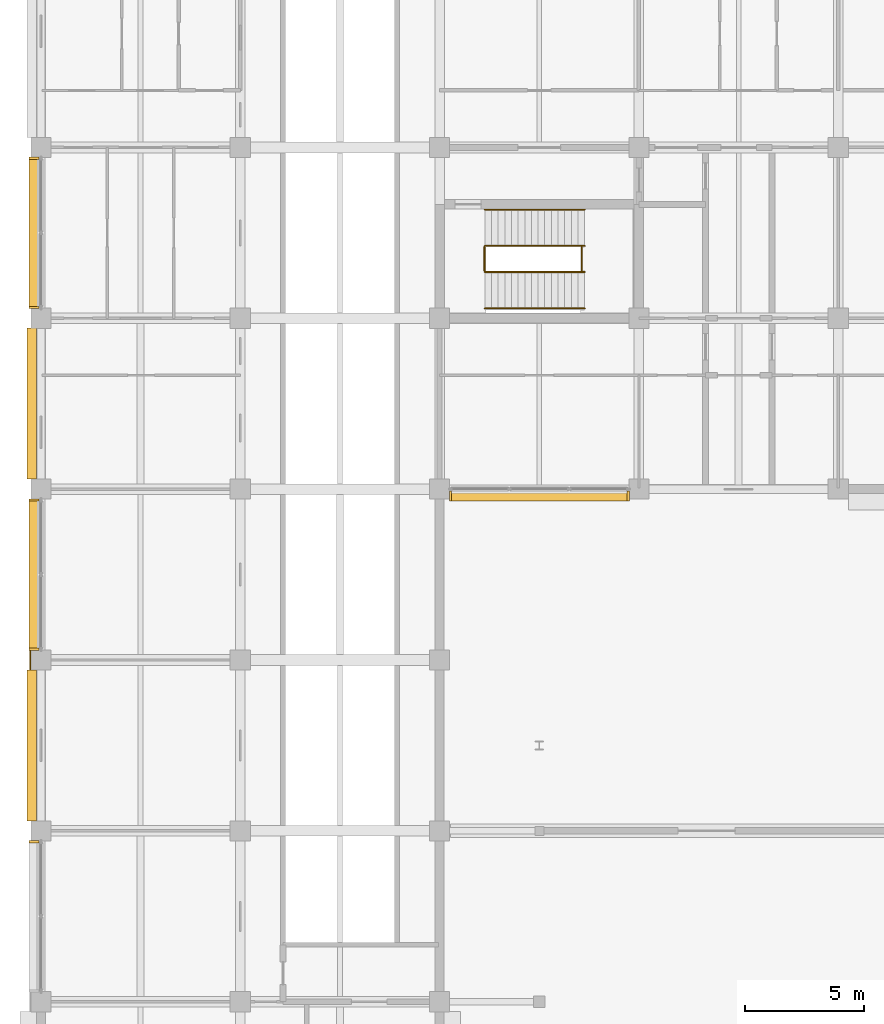
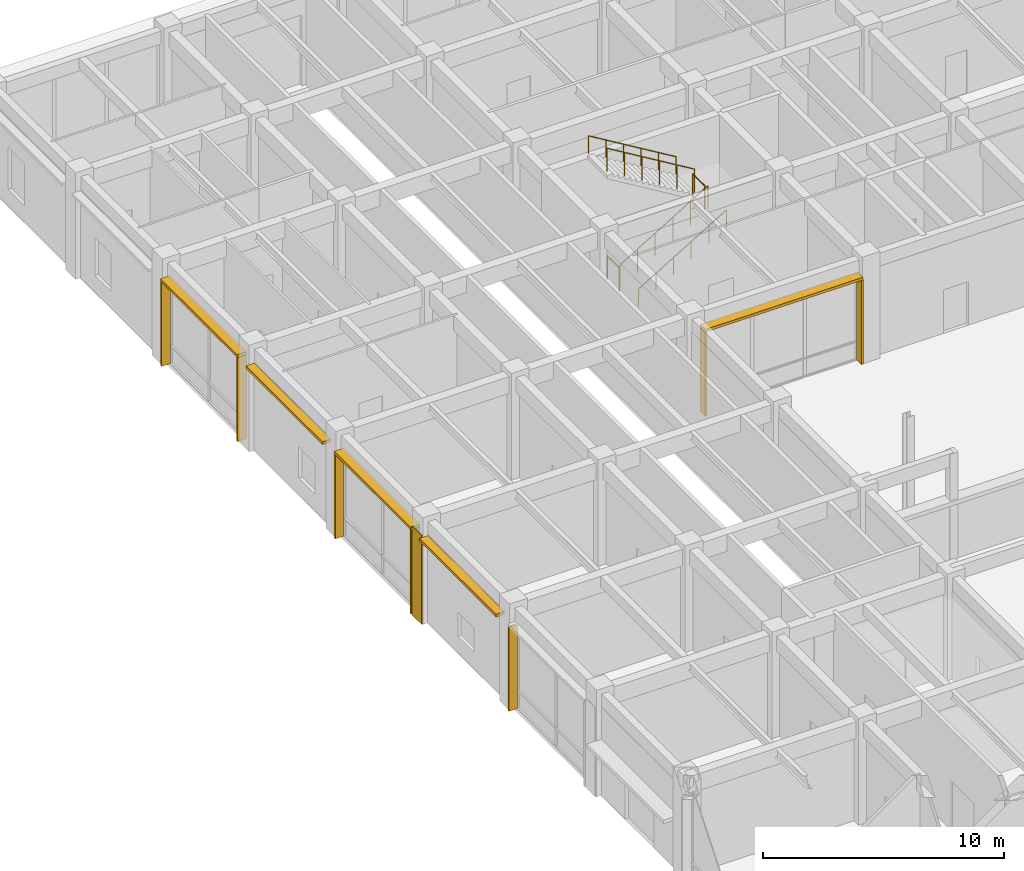
# One storey, part 66 of 73: 12 shading devices, 6 railings, 1 covering.
"""IFC4 building model written with IfcOpenShell, lengths in metres."""

from ifc_helpers import new_model, si_unit, direction, frame, origin, origin_2d, place, context, subcontext, project, spatial, rectangle, circle, extrude, material, layer, layer_set, type_object, element, save


model = new_model("IFC4")

# Units and contexts
model_context = context("Model", 3, precision=1e-05, world=origin(), true_north=direction((0.0, 1.0)))
body_context = subcontext(model_context, "Body", "Model", "MODEL_VIEW")
ifc_project = project(units=[si_unit("LENGTHUNIT", "METRE"), si_unit("AREAUNIT", "SQUARE_METRE"), si_unit("VOLUMEUNIT", "CUBIC_METRE"), si_unit("PLANEANGLEUNIT", "RADIAN"), si_unit("MASSUNIT", "GRAM", prefix="KILO")], contexts=[model_context])

# Site, building, storey
site_placement = place(None, origin())
site = spatial("IfcSite", under=ifc_project, at=site_placement, CompositionType="ELEMENT")
building_placement = place(site_placement, origin())
building = spatial("IfcBuilding", under=site, at=building_placement, Name="Chengyuan Square Courthouse", CompositionType="ELEMENT")
storey_placement = place(building_placement, origin())
storey = spatial("IfcBuildingStorey", under=building, at=storey_placement, Name="L01", CompositionType="ELEMENT", Elevation=0.0)

# Covering
ifc_material_1 = material(Name="Flamed Liaoning Granite Column Cladding", Category="masonry")
ifc_layer = layer(ifc_material_1, 0.050048828125)
ifc_layer_set = layer_set([ifc_layer], Name="Flamed Liaoning Granite Column Cladding")
covering_type = type_object("IfcCoveringType", Name="CLD-01", PredefinedType="CLADDING", material=ifc_layer_set)
covering_placement = place(storey_placement, frame((-0.445068359375, 72.0, 0.0), z_axis=(0.0, 0.0, 1.0), x_axis=(1.0, 0.0, 0.0)))
element("IfcCovering", 1, at=covering_placement, inside=storey, type_object=covering_type, Name="Granite Column Cladding CLD-L01-06", PredefinedType="CLADDING", context=body_context, shape_type="SweptSolid", body=[
    extrude(rectangle(XDim=0.050048828125, YDim=0.800048828125, at=origin_2d()), origin(), (0.0, 0.0, 1.0), 4.5),
])

# Railings
ifc_material_2 = material(Name="Tempered Glass and Timber Top-Rail Balustrade", Category="wood")
railing_type_1 = type_object("IfcRailingType", Name="RL-02", PredefinedType="BALUSTRADE", material=ifc_material_2)
for number, where, name in (
    (2, (18.68994140625, 88.39990234375, 0.0), "Stair Floor Slot Guard ST-9 L01"),
    (3, (22.7900390625, 88.39990234375, 2.699951171875), "Stair Landing Guard ST-9-L01"),
):
    element("IfcRailing", number, at=place(storey_placement, frame(where)), inside=storey, type_object=railing_type_1, Name=name, PredefinedType="BALUSTRADE", context=body_context, shape_type="SweptSolid", body=[
        extrude(circle(Radius=0.02392578125, at=origin_2d()), frame((0.0, 0.0, 1.17578125), z_axis=(0.0, 1.0, 0.0), x_axis=(-1.0, 0.0, 0.0)), (0.0, 0.0, 1.0), 1.0),
        extrude(circle(Radius=0.02099609375, at=origin_2d()), origin(), (0.0, 0.0, 1.0), 1.15185546875),
        extrude(circle(Radius=0.02099609375, at=origin_2d()), frame((0.0, 1.0, 0.0)), (0.0, 0.0, 1.0), 1.15185546875),
    ])
railing_1_placement = place(storey_placement, frame((18.7099609375, 88.35009765625, 0.168701171875)))
element("IfcRailing", 4, at=railing_1_placement, inside=storey, type_object=railing_type_1, Name="Stair Flight 1 Guard ST-9-L01", PredefinedType="BALUSTRADE", context=body_context, shape_type="SweptSolid", body=[
    extrude(circle(Radius=0.02392578125, at=origin_2d()), frame((0.0, 0.0, 1.17578125), z_axis=(0.856476492594, 0.0, 0.516186030065), x_axis=(0.0, 1.0, 0.0)), (0.0, 0.0, 1.0), 4.90380859375),
    extrude(circle(Radius=0.02099609375, at=origin_2d()), origin(), (0.0, 0.0, 1.0), 1.15185546875),
    extrude(circle(Radius=0.02099609375, at=origin_2d()), frame((0.840087890625, 0.0, 0.50634765625)), (0.0, 0.0, 1.0), 1.15185546875),
    extrude(circle(Radius=0.02099609375, at=origin_2d()), frame((1.679931640625, 0.0, 1.012451171875)), (0.0, 0.0, 1.0), 1.15185546875),
    extrude(circle(Radius=0.02099609375, at=origin_2d()), frame((2.52001953125, 0.0, 1.518798828125)), (0.0, 0.0, 1.0), 1.15185546875),
    extrude(circle(Radius=0.02099609375, at=origin_2d()), frame((3.35986328125, 0.0, 2.02490234375)), (0.0, 0.0, 1.0), 1.15185546875),
    extrude(circle(Radius=0.02099609375, at=origin_2d()), frame((4.199951171875, 0.0, 2.53125)), (0.0, 0.0, 1.0), 1.15185546875),
])
railing_2_placement = place(storey_placement, frame((22.909912109375, 89.449951171875, 2.868896484375)))
element("IfcRailing", 5, at=railing_2_placement, inside=storey, type_object=railing_type_1, Name="Stair Flight 2 Guard ST-9-L01", PredefinedType="BALUSTRADE", context=body_context, shape_type="SweptSolid", body=[
    extrude(circle(Radius=0.02392578125, at=origin_2d()), frame((0.0, 0.0, 1.17578125), z_axis=(-0.856498503035, 0.0, 0.5161495077), x_axis=(0.0, -1.0, 0.0)), (0.0, 0.0, 1.0), 4.903564453125),
    extrude(circle(Radius=0.02099609375, at=origin_2d()), origin(), (0.0, 0.0, 1.0), 1.15185546875),
    extrude(circle(Radius=0.02099609375, at=origin_2d()), frame((-0.840087890625, 0.0, 0.506103515625)), (0.0, 0.0, 1.0), 1.15185546875),
    extrude(circle(Radius=0.02099609375, at=origin_2d()), frame((-1.679931640625, 0.0, 1.012451171875)), (0.0, 0.0, 1.0), 1.15185546875),
    extrude(circle(Radius=0.02099609375, at=origin_2d()), frame((-2.52001953125, 0.0, 1.5185546875)), (0.0, 0.0, 1.0), 1.15185546875),
    extrude(circle(Radius=0.02099609375, at=origin_2d()), frame((-3.35986328125, 0.0, 2.02490234375)), (0.0, 0.0, 1.0), 1.15185546875),
    extrude(circle(Radius=0.02099609375, at=origin_2d()), frame((-4.199951171875, 0.0, 2.531005859375)), (0.0, 0.0, 1.0), 1.15185546875),
])
ifc_material_3 = material(Name="Stainless Steel S30408 Stair Handrail", Category="steel")
railing_type_2 = type_object("IfcRailingType", Name="RL-04", PredefinedType="HANDRAIL", material=ifc_material_3)
railing_3_placement = place(storey_placement, frame((18.7099609375, 86.820068359375, 0.168701171875)))
element("IfcRailing", 6, at=railing_3_placement, inside=storey, type_object=railing_type_2, Name="Stair Flight 1 Handrail ST-9-L01", PredefinedType="HANDRAIL", context=body_context, shape_type="SweptSolid", body=[
    extrude(circle(Radius=0.02392578125, at=origin_2d()), frame((0.0, 0.0, 0.8759765625), z_axis=(0.856476492594, 0.0, 0.516186030065), x_axis=(0.0, 1.0, 0.0)), (0.0, 0.0, 1.0), 4.90380859375),
    extrude(circle(Radius=0.02099609375, at=origin_2d()), origin(), (0.0, 0.0, 1.0), 0.851806640625),
    extrude(circle(Radius=0.02099609375, at=origin_2d()), frame((0.840087890625, 0.0, 0.50634765625)), (0.0, 0.0, 1.0), 0.851806640625),
    extrude(circle(Radius=0.02099609375, at=origin_2d()), frame((1.679931640625, 0.0, 1.012451171875)), (0.0, 0.0, 1.0), 0.851806640625),
    extrude(circle(Radius=0.02099609375, at=origin_2d()), frame((2.52001953125, 0.0, 1.518798828125)), (0.0, 0.0, 1.0), 0.851806640625),
    extrude(circle(Radius=0.02099609375, at=origin_2d()), frame((3.35986328125, 0.0, 2.02490234375)), (0.0, 0.0, 1.0), 0.851806640625),
    extrude(circle(Radius=0.02099609375, at=origin_2d()), frame((4.199951171875, 0.0, 2.53125)), (0.0, 0.0, 1.0), 0.851806640625),
])
railing_4_placement = place(storey_placement, frame((22.909912109375, 90.97998046875, 2.868896484375)))
element("IfcRailing", 7, at=railing_4_placement, inside=storey, type_object=railing_type_2, Name="Stair Flight 2 Handrail ST-9-L01", PredefinedType="HANDRAIL", context=body_context, shape_type="SweptSolid", body=[
    extrude(circle(Radius=0.02392578125, at=origin_2d()), frame((0.0, 0.0, 0.8759765625), z_axis=(-0.856498503035, 0.0, 0.5161495077), x_axis=(0.0, -1.0, 0.0)), (0.0, 0.0, 1.0), 4.903564453125),
    extrude(circle(Radius=0.02099609375, at=origin_2d()), origin(), (0.0, 0.0, 1.0), 0.851806640625),
    extrude(circle(Radius=0.02099609375, at=origin_2d()), frame((-0.840087890625, 0.0, 0.506103515625)), (0.0, 0.0, 1.0), 0.851806640625),
    extrude(circle(Radius=0.02099609375, at=origin_2d()), frame((-1.679931640625, 0.0, 1.012451171875)), (0.0, 0.0, 1.0), 0.851806640625),
    extrude(circle(Radius=0.02099609375, at=origin_2d()), frame((-2.52001953125, 0.0, 1.5185546875)), (0.0, 0.0, 1.0), 0.851806640625),
    extrude(circle(Radius=0.02099609375, at=origin_2d()), frame((-3.35986328125, 0.0, 2.02490234375)), (0.0, 0.0, 1.0), 0.851806640625),
    extrude(circle(Radius=0.02099609375, at=origin_2d()), frame((-4.199951171875, 0.0, 2.531005859375)), (0.0, 0.0, 1.0), 0.851806640625),
])

# Shading devices
ifc_material_4 = material(Name="Glulam TCt28 Solar Shading Fin", Category="wood")
shading_device_type_1 = type_object("IfcShadingDeviceType", Name="SHD-01", PredefinedType="JALOUSIE", material=ifc_material_4)
for number, where, z_axis, x_axis, name in (
    (8, (-0.2919921875, 64.342529296875, 0.0400390625), (0.0, 0.0, 1.0), (1.0, 0.0, 0.0), "Glulam Solar Fin SHD-L01-0021"),
    (9, (-0.2919921875, 72.45751953125, 0.0400390625), (0.0, 0.0, 1.0), (1.0, 0.0, 0.0), "Glulam Solar Fin SHD-L01-0024"),
    (10, (-0.2919921875, 78.742431640625, 0.0400390625), (0.0, 0.0, 1.0), (1.0, 0.0, 0.0), "Glulam Solar Fin SHD-L01-0025"),
    (11, (-0.2919921875, 86.857421875, 0.0400390625), (0.0, 0.0, 1.0), (1.0, 0.0, 0.0), "Glulam Solar Fin SHD-L01-0028"),
    (12, (-0.2919921875, 93.142578125, 0.0400390625), (0.0, 0.0, 1.0), (1.0, 0.0, 0.0), "Glulam Solar Fin SHD-L01-0029"),
    (13, (17.2548828125, 78.91796875, 0.0400390625), (0.0, 0.0, 1.0), (0.0, 1.0, 0.0), "Glulam Solar Fin SHD-L01-0049"),
    (14, (24.7451171875, 78.91796875, 0.0400390625), (0.0, 0.0, 1.0), (0.0, 1.0, 0.0), "Glulam Solar Fin SHD-L01-0050"),
):
    element("IfcShadingDevice", number, at=place(storey_placement, frame(where, z_axis=z_axis, x_axis=x_axis)), inside=storey, type_object=shading_device_type_1, Name=name, PredefinedType="JALOUSIE", context=body_context, shape_type="SweptSolid", body=[
        extrude(rectangle(XDim=0.419921875, YDim=0.094970703125, at=origin_2d()), origin(), (0.0, 0.0, 1.0), 4.260009765625),
    ])
ifc_material_5 = material(Name="Glulam TCt28 Sunshade Louvre", Category="wood")
shading_device_type_2 = type_object("IfcShadingDeviceType", Name="SHD-02", PredefinedType="AWNING", material=ifc_material_5)
for number, where, z_axis, x_axis, name in (
    (15, (-0.2919921875, 75.60009765625, 4.30029296875), (0.0, 0.0, 1.0), (0.0, 1.0, 0.0), "Glulam Sunshade Louvre SHD-L01-0026"),
    (16, (-0.2919921875, 90.0, 4.30029296875), (0.0, 0.0, 1.0), (0.0, 1.0, 0.0), "Glulam Sunshade Louvre SHD-L01-0030"),
):
    element("IfcShadingDevice", number, at=place(storey_placement, frame(where, z_axis=z_axis, x_axis=x_axis)), inside=storey, type_object=shading_device_type_2, Name=name, PredefinedType="AWNING", context=body_context, shape_type="SweptSolid", body=[
        extrude(rectangle(XDim=6.35009765625, YDim=0.43994140625, at=origin_2d()), origin(), (0.0, 0.0, 1.0), 0.139892578125),
    ])
shading_device_placement = place(storey_placement, frame((21.0, 78.91796875, 4.30029296875), z_axis=(0.0, 0.0, 1.0), x_axis=(1.0, 0.0, 0.0)))
element("IfcShadingDevice", 17, at=shading_device_placement, inside=storey, type_object=shading_device_type_2, Name="Glulam Sunshade Louvre SHD-L01-0051", PredefinedType="AWNING", context=body_context, shape_type="SweptSolid", body=[
    extrude(rectangle(XDim=7.550048828125, YDim=0.43994140625, at=origin_2d()), origin(), (0.0, 0.0, 1.0), 0.139892578125),
])
ifc_material_6 = material(Name="Glulam TCt28 Facade Sunshade", Category="wood")
shading_device_type_3 = type_object("IfcShadingDeviceType", Name="SHD-03", PredefinedType="AWNING", material=ifc_material_6)
for number, where, z_axis, x_axis, name in (
    (18, (-0.382080078125, 68.39990234375, 4.2802734375), (0.0, 0.0, 1.0), (0.0, 1.0, 0.0), "Glulam Facade Sunshade SHD-L01-0023"),
    (19, (-0.382080078125, 82.800048828125, 4.2802734375), (0.0, 0.0, 1.0), (0.0, 1.0, 0.0), "Glulam Facade Sunshade SHD-L01-0027"),
):
    element("IfcShadingDevice", number, at=place(storey_placement, frame(where, z_axis=z_axis, x_axis=x_axis)), inside=storey, type_object=shading_device_type_3, Name=name, PredefinedType="AWNING", context=body_context, shape_type="SweptSolid", body=[
        extrude(rectangle(XDim=6.360107421875, YDim=0.39990234375, at=origin_2d()), origin(), (0.0, 0.0, 1.0), 0.139892578125),
    ])

save(model, "model.ifc")
